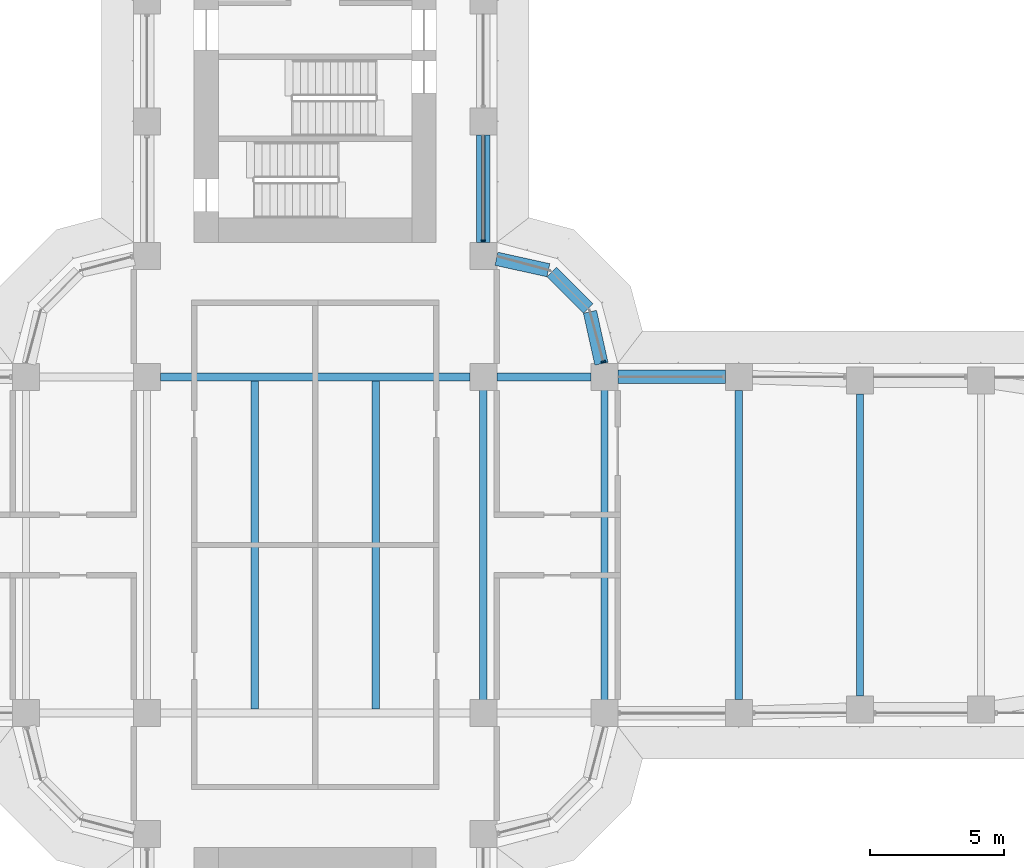
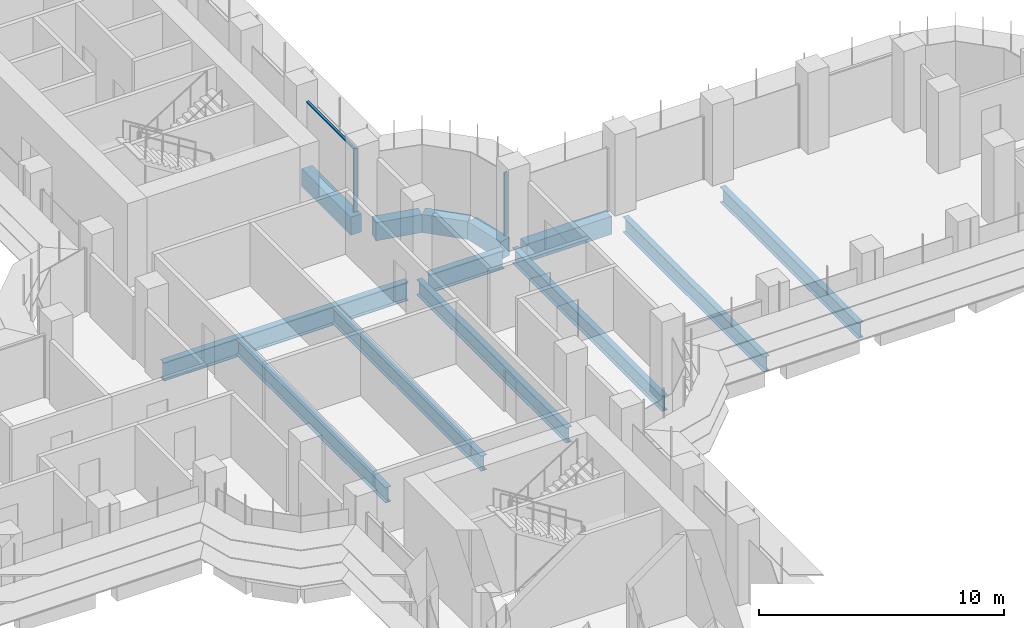
# One storey, part 8 of 23: 13 beams, 3 members, 2 elements without a shape of their own.
"""IFC4 building model written with IfcOpenShell, lengths in metres."""

from ifc_helpers import new_model, si_unit, direction, frame, origin, origin_2d, place, context, subcontext, project, spatial, polyline, rectangle, i_section, outline, extrude, source, transform, mapped, material, material_profile, profile_set, type_object, element, aggregate, save


model = new_model("IFC4")

# Units and contexts
model_context = context("Model", 3, precision=1e-05, world=origin(), true_north=direction((0.0, 1.0)))
body_context = subcontext(model_context, "Body", "Model", "MODEL_VIEW")
ifc_project = project(units=[si_unit("LENGTHUNIT", "METRE"), si_unit("AREAUNIT", "SQUARE_METRE"), si_unit("VOLUMEUNIT", "CUBIC_METRE"), si_unit("PLANEANGLEUNIT", "RADIAN"), si_unit("MASSUNIT", "GRAM", prefix="KILO")], contexts=[model_context])

# Site, building, storey
site_placement = place(None, origin())
site = spatial("IfcSite", under=ifc_project, at=site_placement, CompositionType="ELEMENT")
building_placement = place(site_placement, origin())
building = spatial("IfcBuilding", under=site, at=building_placement, Name="Zarbagh Exchange Tower", CompositionType="ELEMENT")
storey_placement = place(building_placement, frame((0.0, 0.0, 56.39990234375)))
storey = spatial("IfcBuildingStorey", under=building, at=storey_placement, Name="L12", CompositionType="ELEMENT", Elevation=56.39990234375)

# Beams
ifc_material_1 = material(Name="Steel ASTM A992 Gr 50", Category="steel")
ifc_material_profile_1 = material_profile(ifc_material_1, i_section(OverallWidth=0.2666015625, OverallDepth=0.76708984375, WebThickness=0.014892578125, FlangeThickness=0.023681640625, at=origin_2d()), Name="W30X124")
ifc_profile_set_1 = profile_set([ifc_material_profile_1], Name="Steel ASTM A992 Gr 50")
beam_type_1 = type_object("IfcBeamType", Name="Floor beam W30X124", PredefinedType="BEAM", material=ifc_profile_set_1)
for number, where, z_axis, x_axis, name in (
    (1, (-2.25, -6.09765625, -0.533447265625), (0.0, 1.0, 0.0), (-1.0, 0.0, 0.0), "Steel floor beam"),
    (2, (2.25, -6.09765625, -0.533447265625), (0.0, 1.0, 0.0), (-1.0, 0.0, 0.0), "Steel floor beam"),
    (3, (6.25, -6.09765625, -0.533447265625), (0.0, 1.0, 0.0), (-1.0, 0.0, 0.0), "Steel floor beam"),
    (4, (10.75, -6.09765625, -0.533447265625), (0.0, 1.0, 0.0), (-1.0, 0.0, 0.0), "Steel floor beam"),
):
    element("IfcBeam", number, at=place(storey_placement, frame(where, z_axis=z_axis, x_axis=x_axis)), inside=storey, type_object=beam_type_1, Name=name, PredefinedType="BEAM", context=body_context, shape_type="SweptSolid", body=[
        extrude(i_section(OverallWidth=0.2666015625, OverallDepth=0.76708984375, WebThickness=0.014892578125, FlangeThickness=0.023681640625, at=origin_2d()), origin(), (0.0, 0.0, 1.0), 12.1953125),
    ])
beam_1_placement = place(storey_placement, frame((15.75, -5.75, -0.533447265625), z_axis=(0.0, 1.0, 0.0), x_axis=(-1.0, 0.0, 0.0)))
element("IfcBeam", 5, at=beam_1_placement, inside=storey, type_object=beam_type_1, Name="Steel floor beam", PredefinedType="BEAM", context=body_context, shape_type="SweptSolid", body=[
    extrude(i_section(OverallWidth=0.2666015625, OverallDepth=0.76708984375, WebThickness=0.014892578125, FlangeThickness=0.023681640625, at=origin_2d()), origin(), (0.0, 0.0, 1.0), 11.5),
])
beam_2_placement = place(storey_placement, frame((20.25, -5.610107421875, -0.533447265625), z_axis=(0.0, 1.0, 0.0), x_axis=(-1.0, 0.0, 0.0)))
element("IfcBeam", 6, at=beam_2_placement, inside=storey, type_object=beam_type_1, Name="Steel floor beam", PredefinedType="BEAM", context=body_context, shape_type="SweptSolid", body=[
    extrude(i_section(OverallWidth=0.2666015625, OverallDepth=0.76708984375, WebThickness=0.014892578125, FlangeThickness=0.023681640625, at=origin_2d()), origin(), (0.0, 0.0, 1.0), 11.22021484375),
])
ifc_material_profile_2 = material_profile(ifc_material_1, i_section(OverallWidth=0.3046875, OverallDepth=0.91943359375, WebThickness=0.017333984375, FlangeThickness=0.02783203125, at=origin_2d()), Name="W36X170")
ifc_profile_set_2 = profile_set([ifc_material_profile_2], Name="Steel ASTM A992 Gr 50")
beam_type_2 = type_object("IfcBeamType", Name="Floor girder W36X170", PredefinedType="BEAM", material=ifc_profile_set_2)
beam_3_placement = place(storey_placement, frame((-5.75, 6.25, -0.609619140625), z_axis=(1.0, 0.0, 0.0), x_axis=(0.0, 1.0, 0.0)))
element("IfcBeam", 7, at=beam_3_placement, inside=storey, type_object=beam_type_2, Name="Steel girder", PredefinedType="BEAM", context=body_context, shape_type="SweptSolid", body=[
    extrude(i_section(OverallWidth=0.3046875, OverallDepth=0.91943359375, WebThickness=0.017333984375, FlangeThickness=0.02783203125, at=origin_2d()), origin(), (0.0, 0.0, 1.0), 11.5),
])
beam_4_placement = place(storey_placement, frame((6.75, 6.25, -0.609619140625), z_axis=(1.0, 0.0, 0.0), x_axis=(0.0, 1.0, 0.0)))
element("IfcBeam", 8, at=beam_4_placement, inside=storey, type_object=beam_type_2, Name="Steel girder", PredefinedType="BEAM", context=body_context, shape_type="SweptSolid", body=[
    extrude(i_section(OverallWidth=0.3046875, OverallDepth=0.91943359375, WebThickness=0.017333984375, FlangeThickness=0.02783203125, at=origin_2d()), origin(), (0.0, 0.0, 1.0), 3.5),
])
ifc_material_2 = material(Name="Concrete C60/75", Category="concrete")
ifc_material_profile_3 = material_profile(ifc_material_2, rectangle(XDim=0.5, YDim=0.89990234375, at=origin_2d()), Name="RC spandrel beam 500 x 900 C60/75")
ifc_profile_set_3 = profile_set([ifc_material_profile_3], Name="Concrete C60/75")
beam_type_3 = type_object("IfcBeamType", Name="RC spandrel beam 500 x 900 C60/75", PredefinedType="SPANDREL", material=ifc_profile_set_3)
beam_5_placement = place(storey_placement, frame((6.25, 15.25, -0.599853515625), z_axis=(0.0, -1.0, 0.0), x_axis=(1.0, 0.0, 0.0)))
element("IfcBeam", 9, at=beam_5_placement, inside=storey, type_object=beam_type_3, Name="RC spandrel beam", PredefinedType="SPANDREL", context=body_context, shape_type="SweptSolid", body=[
    extrude(rectangle(XDim=0.5, YDim=0.89990234375, at=origin_2d()), origin(), (0.0, 0.0, 1.0), 4.0),
])
beam_6_placement = place(storey_placement, frame((6.73828125, 10.64208984375, -0.599853515625), z_axis=(0.976375426825, -0.216081063242, 0.0), x_axis=(0.216081063242, 0.976375426825, 0.0)))
element("IfcBeam", 10, at=beam_6_placement, inside=storey, type_object=beam_type_3, Name="RC spandrel beam", PredefinedType="SPANDREL", context=body_context, shape_type="SweptSolid", body=[
    extrude(rectangle(XDim=0.5, YDim=0.89990234375, at=origin_2d()), origin(), (0.0, 0.0, 1.0), 1.978271484375),
])
beam_7_placement = place(storey_placement, frame((8.792724609375, 10.147216796875, -0.599853515625), z_axis=(0.707106781187, -0.707106781187, 0.0), x_axis=(0.707106781187, 0.707106781187, 0.0)))
element("IfcBeam", 11, at=beam_7_placement, inside=storey, type_object=beam_type_3, Name="RC spandrel beam", PredefinedType="SPANDREL", context=body_context, shape_type="SweptSolid", body=[
    extrude(rectangle(XDim=0.5, YDim=0.89990234375, at=origin_2d()), origin(), (0.0, 0.0, 1.0), 1.91552734375),
])
beam_8_placement = place(storey_placement, frame((10.214599609375, 8.669921875, -0.599853515625), z_axis=(0.216081063242, -0.976375426825, 0.0), x_axis=(0.976375426825, 0.216081063242, 0.0)))
element("IfcBeam", 12, at=beam_8_placement, inside=storey, type_object=beam_type_3, Name="RC spandrel beam", PredefinedType="SPANDREL", context=body_context, shape_type="SweptSolid", body=[
    extrude(rectangle(XDim=0.5, YDim=0.89990234375, at=origin_2d()), origin(), (0.0, 0.0, 1.0), 1.978271484375),
])
beam_9_placement = place(storey_placement, frame((11.25, 6.25, -0.599853515625), z_axis=(1.0, 0.0, 0.0), x_axis=(0.0, 1.0, 0.0)))
element("IfcBeam", 13, at=beam_9_placement, inside=storey, type_object=beam_type_3, Name="RC spandrel beam", PredefinedType="SPANDREL", context=body_context, shape_type="SweptSolid", body=[
    extrude(rectangle(XDim=0.5, YDim=0.89990234375, at=origin_2d()), origin(), (0.0, 0.0, 1.0), 4.0),
])

# Curtain wall, member
ifc_material_3 = material(Name="Anodised aluminium frame and glazing", Category="aluminium")
curtain_wall_type = type_object("IfcCurtainWallType", Name="CWA Ribbon glazing, lower zones", PredefinedType="NOTDEFINED", material=ifc_material_3)
curtain_wall_1_placement = place(storey_placement, origin())
curtain_wall_1 = element("IfcCurtainWall", 14, at=curtain_wall_1_placement, inside=storey, type_object=curtain_wall_type, Name="CWA17 curtain wall", PredefinedType="NOTDEFINED")
ifc_material_4 = material(Name="Anodised aluminium frame", Category="aluminium")
member_type_1 = type_object("IfcMemberType", Name="MUA Mullion, anodised aluminium frame", PredefinedType="MULLION", material=ifc_material_4)
shared_shape_1 = source(origin(), body_context, "Body", "SweptSolid", [
    extrude(outline(polyline([(0.0, -0.080078125), (0.06005859375, -0.080078125), (0.06005859375, 0.080078125), (0.0, 0.080078125), (0.0, -0.080078125)])), origin(), (0.0, 0.0, 1.0), 3.14990234375),
])
placement = place(storey_placement, origin())
member_1 = element("IfcMember", 15, at=placement, type_object=member_type_1, Name="CWA17 mullion 1.1", PredefinedType="MULLION", context=body_context, shape_type="MappedRepresentation", body=[
    mapped(shared_shape_1, transform((10.7216796875, 6.7900390625, 0.0), x_axis=(-0.258824779902, 0.965924289636, 0.0), y_axis=(-0.965924289636, -0.258824779902, 0.0), z_axis=(0.0, 0.0, 1.0))),
])
aggregate(curtain_wall_1, [member_1])

# Curtain wall, members
curtain_wall_2_placement = place(storey_placement, origin())
curtain_wall_2 = element("IfcCurtainWall", 16, at=curtain_wall_2_placement, inside=storey, type_object=curtain_wall_type, Name="CWA20 curtain wall", PredefinedType="NOTDEFINED")
member_2 = element("IfcMember", 17, at=placement, type_object=member_type_1, Name="CWA20 mullion 1.1", PredefinedType="MULLION", context=body_context, shape_type="MappedRepresentation", body=[
    mapped(shared_shape_1, transform((6.25, 11.2900390625, 0.0), x_axis=(0.0, 1.0, 0.0), y_axis=(-1.0, 0.0, 0.0), z_axis=(0.0, 0.0, 1.0))),
])
member_type_2 = type_object("IfcMemberType", Name="TRA Transom, anodised aluminium frame", PredefinedType="USERDEFINED", material=ifc_material_4)
shared_shape_2 = source(origin(), body_context, "Body", "SweptSolid", [
    extrude(outline(polyline([(-0.06005859375, -0.06005859375), (0.0, -0.06005859375), (0.0, 0.06005859375), (-0.06005859375, 0.06005859375), (-0.06005859375, -0.06005859375)])), origin(), (0.0, 0.0, 1.0), 3.860107421875),
])
member_3 = element("IfcMember", 18, at=placement, type_object=member_type_2, Name="CWA20 transom 1.1", ObjectType="TRANSOM", PredefinedType="USERDEFINED", context=body_context, shape_type="MappedRepresentation", body=[
    mapped(shared_shape_2, transform((6.25, 11.35009765625, 3.150146484375), x_axis=(0.0, 0.0, 1.0), y_axis=(1.0, 0.0, 0.0), z_axis=(0.0, 1.0, 0.0))),
])
aggregate(curtain_wall_2, [member_2, member_3])

save(model, "model.ifc")
